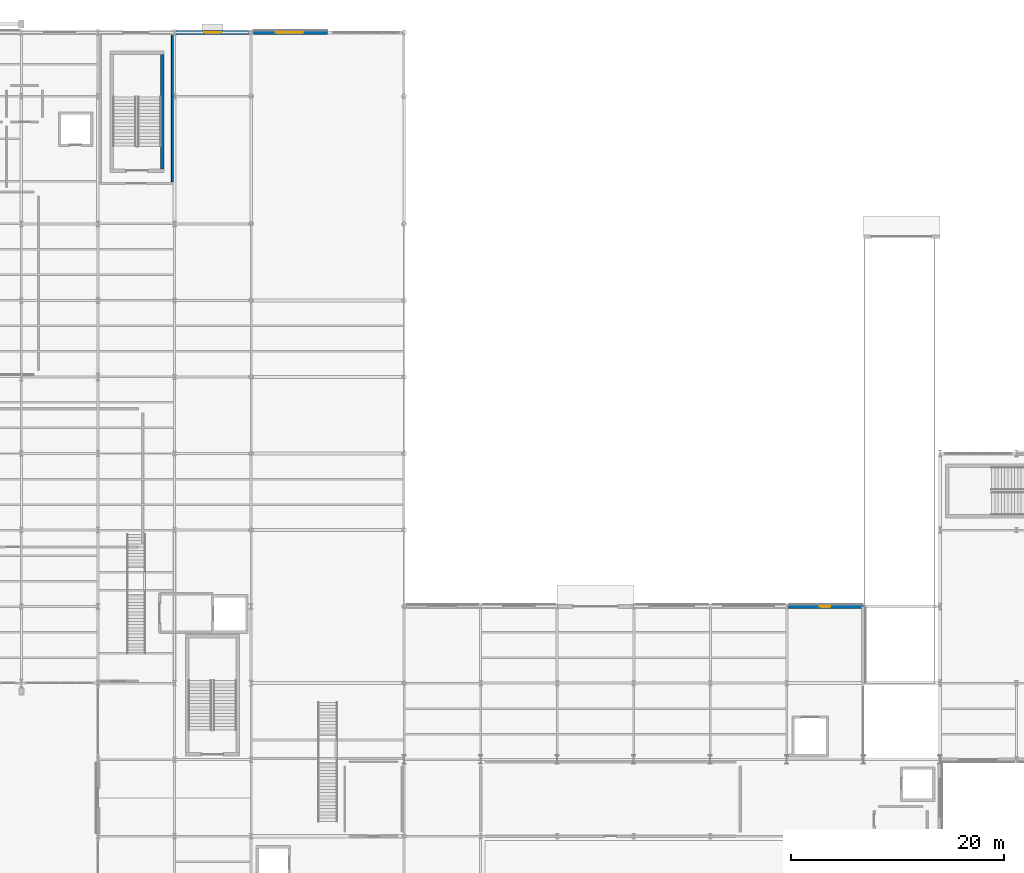
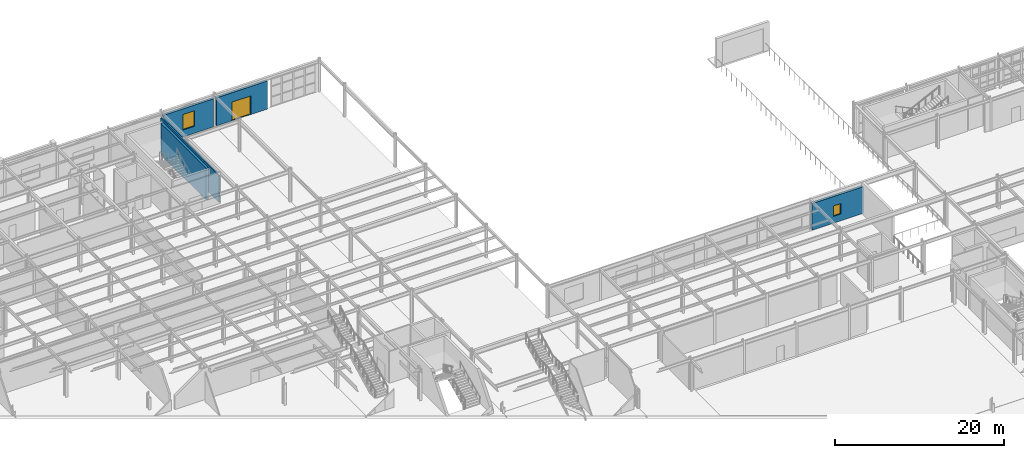
# One storey, part 63 of 83: 5 walls, 2 windows, 1 door, 3 openings.
"""IFC4 building model written with IfcOpenShell, lengths in metres."""

from ifc_helpers import new_model, si_unit, direction, frame, frame_2d, origin, place, context, subcontext, project, spatial, rectangle, extrude, material, layer, layer_set, type_object, element, fill, save


model = new_model("IFC4")

# Units and contexts
model_context = context("Model", 3, precision=1e-05, world=origin(), true_north=direction((0.0, 1.0)))
body_context = subcontext(model_context, "Body", "Model", "MODEL_VIEW")
ifc_project = project(units=[si_unit("LENGTHUNIT", "METRE"), si_unit("AREAUNIT", "SQUARE_METRE"), si_unit("VOLUMEUNIT", "CUBIC_METRE"), si_unit("PLANEANGLEUNIT", "RADIAN"), si_unit("MASSUNIT", "GRAM", prefix="KILO")], contexts=[model_context])

# Site, building, storey
site_placement = place(None, origin())
site = spatial("IfcSite", under=ifc_project, at=site_placement, CompositionType="ELEMENT")
building_placement = place(site_placement, origin())
building = spatial("IfcBuilding", under=site, at=building_placement, Name="Solvadek Multi-Sports Hall", CompositionType="ELEMENT")
storey_placement = place(building_placement, origin())
storey = spatial("IfcBuildingStorey", under=building, at=storey_placement, Name="L00", CompositionType="ELEMENT", Elevation=0.0)

# Wall, opening, window
ifc_material_1 = material(Name="Fired Deccan terracotta brick masonry", Category="masonry")
ifc_layer_1 = layer(ifc_material_1, 0.35009765625, Name="Fired Deccan terracotta brick masonry")
ifc_layer_set_1 = layer_set([ifc_layer_1], Name="Fired Deccan terracotta brick masonry")
wall_type_1 = type_object("IfcWallType", Name="ENV-WAL-EXT350", PredefinedType="SOLIDWALL", material=ifc_layer_set_1)
wall_1_placement = place(storey_placement, frame((64.9541015625, 110.39990234375, 0.0), z_axis=(0.0, 0.0, 1.0), x_axis=(1.0, 0.0, 0.0)))
wall_1 = element("IfcWall", 1, at=wall_1_placement, inside=storey, type_object=wall_type_1, Name="L00 Exterior Masonry Wall #192", PredefinedType="SOLIDWALL", context=body_context, shape_type="SweptSolid", body=[
    extrude(rectangle(XDim=6.838623046875, YDim=0.35009765625, at=frame_2d((3.41943359375, 0.0))), origin(), (0.0, 0.0, 1.0), 4.06494140625),
])
opening_1_placement = place(wall_1_placement, frame((2.64599609375, 0.0, 1.0)))
opening_1 = element("IfcOpeningElement", 2, at=opening_1_placement, cuts=wall_1, Name="Opening WN-34", PredefinedType="OPENING", context=body_context, shape_type="SweptSolid", body=[
    extrude(rectangle(XDim=1.60009765625, YDim=2.25, at=frame_2d((0.800048828125, 1.125))), frame((0.0, 0.18505859375, 0.0), z_axis=(0.0, -1.0, 0.0), x_axis=(1.0, 0.0, 0.0)), (0.0, 0.0, 1.0), 0.3701171875),
])
ifc_material_2 = material(Name="Tempered laminated low-E glass", Category="glass")
window_type_1 = type_object("IfcWindowType", Name="ENV-WIN-WN-34", PartitioningType="SINGLE_PANEL", PredefinedType="WINDOW", material=ifc_material_2)
window_1_placement = place(opening_1_placement, origin())
window_1 = element("IfcWindow", 3, at=window_1_placement, inside=storey, type_object=window_type_1, Name="L00 Facade Window WN-34 #76", OverallHeight=2.25, OverallWidth=1.60009765625, PartitioningType="SINGLE_PANEL", PredefinedType="WINDOW", context=body_context, shape_type="SweptSolid", body=[
    extrude(rectangle(XDim=1.60009765625, YDim=2.25, at=frame_2d((0.800048828125, 1.125))), frame((0.0, 0.030029296875, 0.0), z_axis=(0.0, -1.0, 0.0), x_axis=(1.0, 0.0, 0.0)), (0.0, 0.0, 1.0), 0.06005859375),
])
fill(opening_1, window_1)

# Wall, opening, door
wall_2_placement = place(storey_placement, frame((72.207275390625, 110.39990234375, 0.0), z_axis=(0.0, 0.0, 1.0), x_axis=(1.0, 0.0, 0.0)))
wall_2 = element("IfcWall", 4, at=wall_2_placement, inside=storey, type_object=wall_type_1, Name="L00 Exterior Masonry Wall #195", PredefinedType="SOLIDWALL", context=body_context, shape_type="SweptSolid", body=[
    extrude(rectangle(XDim=6.99267578125, YDim=0.35009765625, at=frame_2d((3.496337890625, 0.0))), origin(), (0.0, 0.0, 1.0), 4.06494140625),
])
opening_2_placement = place(wall_2_placement, frame((2.0927734375, 0.0, 0.0)))
opening_2 = element("IfcOpeningElement", 5, at=opening_2_placement, cuts=wall_2, Name="Opening D-EX07", PredefinedType="OPENING", context=body_context, shape_type="SweptSolid", body=[
    extrude(rectangle(XDim=2.60009765625, YDim=2.699951171875, at=frame_2d((1.300048828125, 1.35009765625))), frame((0.0, 0.18505859375, 0.0), z_axis=(0.0, -1.0, 0.0), x_axis=(1.0, 0.0, 0.0)), (0.0, 0.0, 1.0), 0.3701171875),
])
ifc_material_3 = material(Name="Anodised aluminium", Category="aluminium")
door_type = type_object("IfcDoorType", Name="ENV-DOR-EX260X270", OperationType="DOUBLE_DOOR_SINGLE_SWING", PredefinedType="DOOR", material=ifc_material_3)
door_placement = place(opening_2_placement, origin())
door = element("IfcDoor", 6, at=door_placement, inside=storey, type_object=door_type, Name="Public Passage North Final Exit Door D-EX07", OperationType="DOUBLE_DOOR_SINGLE_SWING", OverallHeight=2.699951171875, OverallWidth=2.60009765625, PredefinedType="DOOR", context=body_context, shape_type="SweptSolid", body=[
    extrude(rectangle(XDim=2.60009765625, YDim=2.699951171875, at=frame_2d((1.300048828125, 1.35009765625))), frame((0.0, 0.02490234375, 0.0), z_axis=(0.0, -1.0, 0.0), x_axis=(1.0, 0.0, 0.0)), (0.0, 0.0, 1.0), 0.050048828125),
])
fill(opening_2, door)

# Wall, opening, window
wall_3_placement = place(storey_placement, frame((122.553955078125, 56.39990234375, 0.0), z_axis=(0.0, 0.0, 1.0), x_axis=(1.0, 0.0, 0.0)))
wall_3 = element("IfcWall", 7, at=wall_3_placement, inside=storey, type_object=wall_type_1, Name="L00 Exterior Masonry Wall #258", PredefinedType="SOLIDWALL", context=body_context, shape_type="SweptSolid", body=[
    extrude(rectangle(XDim=7.046142578125, YDim=0.35009765625, at=frame_2d((3.52294921875, 0.0))), origin(), (0.0, 0.0, 1.0), 3.864990234375),
])
opening_3_placement = place(wall_3_placement, frame((2.946044921875, 0.0, 1.0)))
opening_3 = element("IfcOpeningElement", 8, at=opening_3_placement, cuts=wall_3, Name="Opening WN-24", PredefinedType="OPENING", context=body_context, shape_type="SweptSolid", body=[
    extrude(rectangle(XDim=1.0, YDim=1.5, at=frame_2d((0.5, 0.75))), frame((0.0, 0.18505859375, 0.0), z_axis=(0.0, -1.0, 0.0), x_axis=(1.0, 0.0, 0.0)), (0.0, 0.0, 1.0), 0.3701171875),
])
window_type_2 = type_object("IfcWindowType", Name="ENV-WIN-WN-24", PartitioningType="SINGLE_PANEL", PredefinedType="WINDOW", material=ifc_material_2)
window_2_placement = place(opening_3_placement, origin())
window_2 = element("IfcWindow", 9, at=window_2_placement, inside=storey, type_object=window_type_2, Name="L00 Facade Window WN-24 #112", OverallHeight=1.5, OverallWidth=1.0, PartitioningType="SINGLE_PANEL", PredefinedType="WINDOW", context=body_context, shape_type="SweptSolid", body=[
    extrude(rectangle(XDim=1.0, YDim=1.5, at=frame_2d((0.5, 0.75))), frame((0.0, 0.030029296875, 0.0), z_axis=(0.0, -1.0, 0.0), x_axis=(1.0, 0.0, 0.0)), (0.0, 0.0, 1.0), 0.06005859375),
])
fill(opening_3, window_2)

# Walls
ifc_material_4 = material(Name="Autoclaved aerated concrete blockwork", Category="masonry")
ifc_layer_2 = layer(ifc_material_4, 0.179931640625, Name="Autoclaved aerated concrete blockwork")
ifc_layer_set_2 = layer_set([ifc_layer_2], Name="Autoclaved aerated concrete blockwork")
wall_type_2 = type_object("IfcWallType", Name="INT-WAL-PRT180", PredefinedType="PARTITIONING", material=ifc_layer_set_2)
wall_4_placement = place(storey_placement, frame((64.60009765625, 96.35009765625, 0.0), z_axis=(0.0, 0.0, 1.0), x_axis=(0.0, 1.0, 0.0)))
element("IfcWall", 10, at=wall_4_placement, inside=storey, type_object=wall_type_2, Name="L00 Protected Exit Discharge Wall st03-dis-e", PredefinedType="PARTITIONING", context=body_context, shape_type="SweptSolid", body=[
    extrude(rectangle(XDim=13.7998046875, YDim=0.179931640625, at=frame_2d((6.89990234375, 0.0))), origin(), (0.0, 0.0, 1.0), 3.909912109375),
])
ifc_material_5 = material(Name="Concrete M40", Category="concrete")
ifc_layer_3 = layer(ifc_material_5, 0.320068359375, Name="Concrete M40")
ifc_layer_set_3 = layer_set([ifc_layer_3], Name="Concrete M40")
wall_type_3 = type_object("IfcWallType", Name="INT-WAL-SHR320", PredefinedType="SHEAR", material=ifc_layer_set_3)
wall_5_placement = place(storey_placement, frame((63.64990234375, 97.56005859375, 0.0), z_axis=(0.0, 0.0, 1.0), x_axis=(0.0, 1.0, 0.0)))
element("IfcWall", 11, at=wall_5_placement, inside=storey, type_object=wall_type_3, Name="L00 Stair ST-03 Shear Wall E", PredefinedType="SHEAR", context=body_context, shape_type="SweptSolid", body=[
    extrude(rectangle(XDim=10.780029296875, YDim=0.320068359375, at=frame_2d((5.39013671875, 0.0))), origin(), (0.0, 0.0, 1.0), 4.580078125),
])

save(model, "model.ifc")
